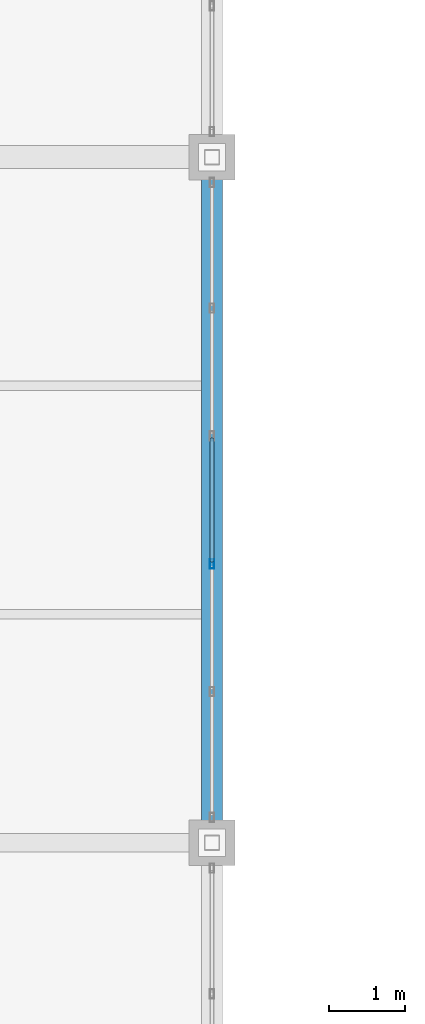
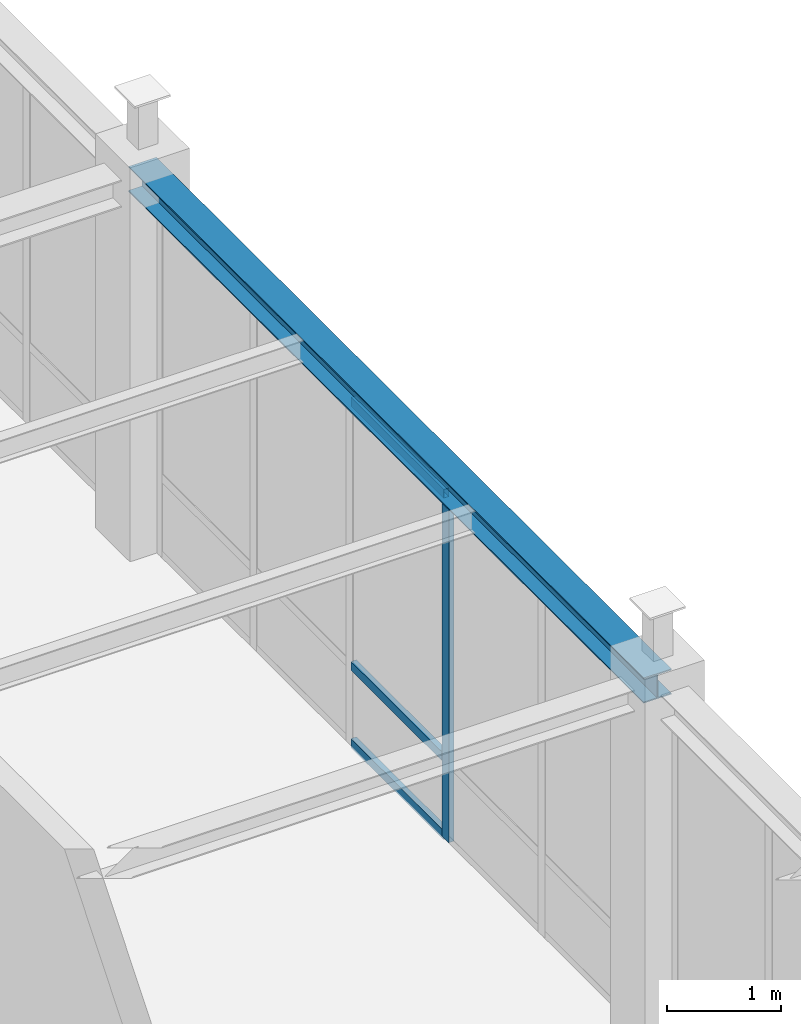
# One storey, part 47 of 97: 4 members, 1 beam, 1 element without a shape of its own.
"""IFC4 building model written with IfcOpenShell, lengths in metres."""

from ifc_helpers import new_model, si_unit, direction, frame, origin, origin_2d, place, context, subcontext, project, spatial, hollow_rectangle, i_section, extrude, material, material_profile, profile_set, type_object, element, aggregate, save


model = new_model("IFC4")

# Units and contexts
model_context = context("Model", 3, precision=1e-05, world=origin(), true_north=direction((0.0, 1.0)))
body_context = subcontext(model_context, "Body", "Model", "MODEL_VIEW")
ifc_project = project(units=[si_unit("LENGTHUNIT", "METRE"), si_unit("AREAUNIT", "SQUARE_METRE"), si_unit("VOLUMEUNIT", "CUBIC_METRE"), si_unit("PLANEANGLEUNIT", "RADIAN"), si_unit("MASSUNIT", "GRAM", prefix="KILO")], contexts=[model_context])

# Site, building, storey
site_placement = place(None, origin())
site = spatial("IfcSite", under=ifc_project, at=site_placement, CompositionType="ELEMENT")
building_placement = place(site_placement, origin())
building = spatial("IfcBuilding", under=site, at=building_placement, Name="Lykobir Media Centre", CompositionType="ELEMENT")
storey_placement = place(building_placement, frame((0.0, 0.0, 23.39990234375)))
storey = spatial("IfcBuildingStorey", under=building, at=storey_placement, Name="L05", CompositionType="ELEMENT", Elevation=23.39990234375)

# Beam
ifc_material_1 = material(Name="Steel S355", Category="steel")
ifc_material_profile_1 = material_profile(ifc_material_1, i_section(OverallWidth=0.280029296875, OverallDepth=0.27001953125, WebThickness=0.008056640625, FlangeThickness=0.012939453125, at=origin_2d()), Name="HEA 280")
ifc_profile_set_1 = profile_set([ifc_material_profile_1], Name="Steel S355")
beam_type = type_object("IfcBeamType", Name="BM-HEA280", PredefinedType="BEAM", material=ifc_profile_set_1)
beam_placement = place(storey_placement, frame((99.0, 27.0, 3.84521484375), z_axis=(0.0, 1.0, 0.0), x_axis=(-1.0, 0.0, 0.0)))
element("IfcBeam", 1, at=beam_placement, inside=storey, type_object=beam_type, Name="Beam BM-L05-0990-0270-0990-0360-2724", PredefinedType="BEAM", context=body_context, shape_type="SweptSolid", body=[
    extrude(i_section(OverallWidth=0.280029296875, OverallDepth=0.27001953125, WebThickness=0.008056640625, FlangeThickness=0.012939453125, at=origin_2d()), origin(), (0.0, 0.0, 1.0), 9.0),
])

# Curtain wall, members
ifc_material_2 = material(Name="Anodized Aluminium AW-6060", Category="aluminium")
curtain_wall_type = type_object("IfcCurtainWallType", Name="CW-COURT-B", PredefinedType="NOTDEFINED", material=ifc_material_2)
curtain_wall_placement = place(storey_placement, origin())
curtain_wall = element("IfcCurtainWall", 2, at=curtain_wall_placement, inside=storey, type_object=curtain_wall_type, Name="Curtain wall CW2-L05-0182", PredefinedType="NOTDEFINED")
ifc_material_profile_2 = material_profile(ifc_material_2, hollow_rectangle(XDim=0.054931640625, YDim=0.1201171875, WallThickness=0.003173828125, at=origin_2d()), Name="ALU MULLION 55x120")
ifc_profile_set_2 = profile_set([ifc_material_profile_2], Name="Anodized Aluminium AW-6060")
member_type_1 = type_object("IfcMemberType", Name="CWM-120", PredefinedType="MULLION", material=ifc_profile_set_2)
member_1_placement = place(storey_placement, frame((99.0, 30.660888671875, 0.0), z_axis=(0.0, 0.0, 1.0), x_axis=(1.0, 0.0, 0.0)))
member_1 = element("IfcMember", 3, at=member_1_placement, type_object=member_type_1, Name="CW2-L05-0182 mullion 4", PredefinedType="MULLION", context=body_context, shape_type="SweptSolid", body=[
    extrude(hollow_rectangle(XDim=0.054931640625, YDim=0.1201171875, WallThickness=0.003173828125, at=origin_2d()), origin(), (0.0, 0.0, 1.0), 3.695068359375),
])
ifc_material_profile_3 = material_profile(ifc_material_2, hollow_rectangle(XDim=0.054931640625, YDim=0.094970703125, WallThickness=0.0029296875, at=origin_2d()), Name="ALU TRANSOM 55x95")
ifc_profile_set_3 = profile_set([ifc_material_profile_3], Name="Anodized Aluminium AW-6060")
member_type_2 = type_object("IfcMemberType", Name="CWT-095", PredefinedType="USERDEFINED", material=ifc_profile_set_3)
member_2_placement = place(storey_placement, frame((99.0, 32.3115234375, 0.027587890625), z_axis=(0.0, -1.0, 0.0), x_axis=(1.0, 0.0, 0.0)))
member_2 = element("IfcMember", 4, at=member_2_placement, type_object=member_type_2, Name="CW2-L05-0182 transom 3.1", ObjectType="TRANSOM", PredefinedType="USERDEFINED", context=body_context, shape_type="SweptSolid", body=[
    extrude(hollow_rectangle(XDim=0.054931640625, YDim=0.094970703125, WallThickness=0.0029296875, at=origin_2d()), origin(), (0.0, 0.0, 1.0), 1.623046875),
])
member_3_placement = place(storey_placement, frame((99.0, 32.3115234375, 0.85009765625), z_axis=(0.0, -1.0, 0.0), x_axis=(1.0, 0.0, 0.0)))
member_3 = element("IfcMember", 5, at=member_3_placement, type_object=member_type_2, Name="CW2-L05-0182 transom 3.2", ObjectType="TRANSOM", PredefinedType="USERDEFINED", context=body_context, shape_type="SweptSolid", body=[
    extrude(hollow_rectangle(XDim=0.054931640625, YDim=0.094970703125, WallThickness=0.0029296875, at=origin_2d()), origin(), (0.0, 0.0, 1.0), 1.623046875),
])
member_4_placement = place(storey_placement, frame((99.0, 32.3115234375, 3.66748046875), z_axis=(0.0, -1.0, 0.0), x_axis=(1.0, 0.0, 0.0)))
member_4 = element("IfcMember", 6, at=member_4_placement, type_object=member_type_2, Name="CW2-L05-0182 transom 3.3", ObjectType="TRANSOM", PredefinedType="USERDEFINED", context=body_context, shape_type="SweptSolid", body=[
    extrude(hollow_rectangle(XDim=0.054931640625, YDim=0.094970703125, WallThickness=0.0029296875, at=origin_2d()), origin(), (0.0, 0.0, 1.0), 1.623046875),
])
aggregate(curtain_wall, [member_1, member_2, member_3, member_4])

save(model, "model.ifc")
